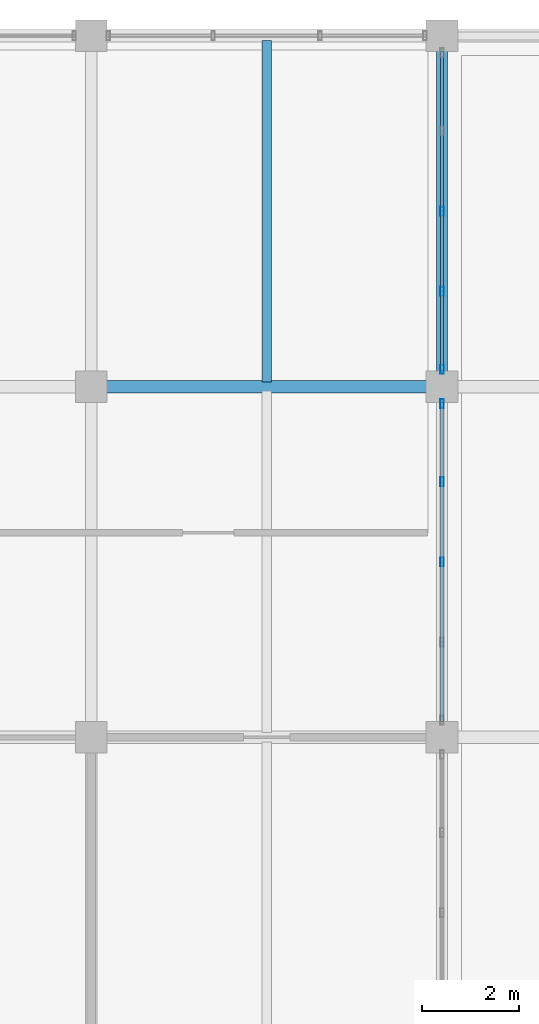
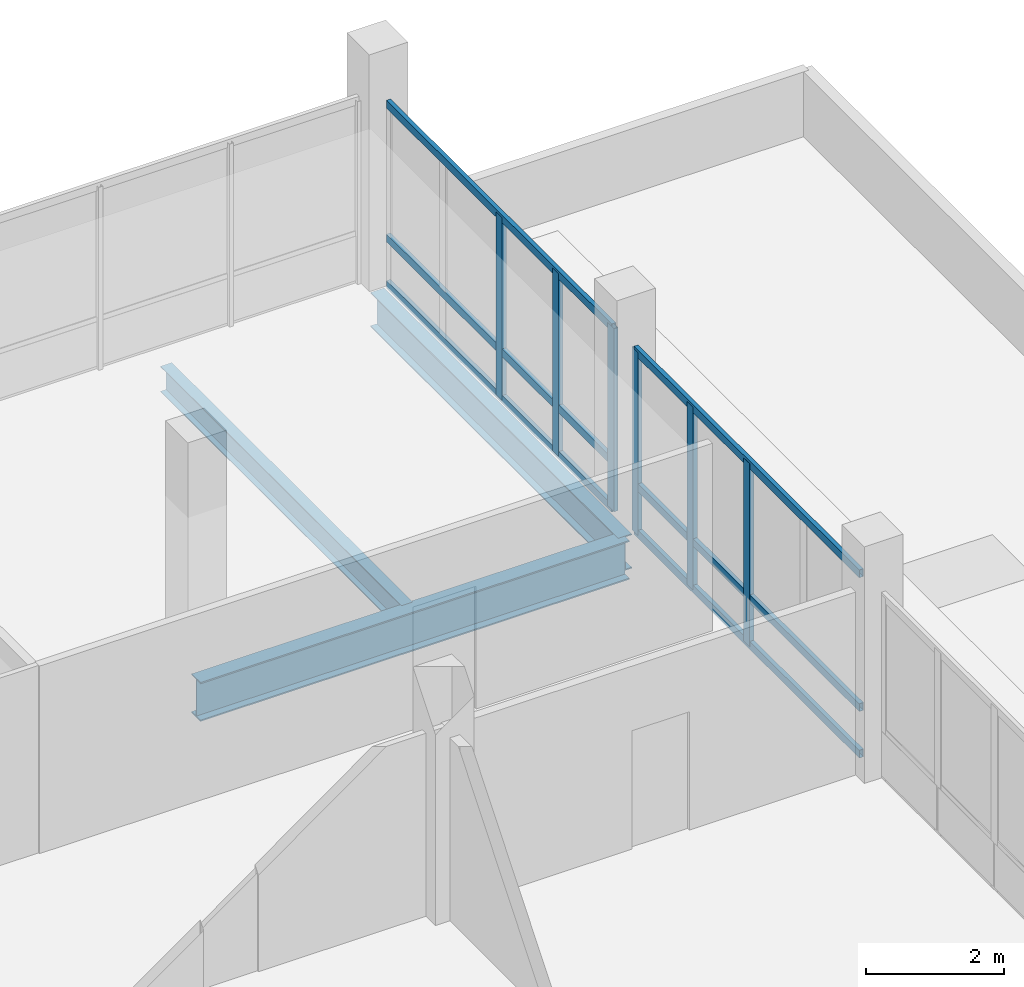
# One storey, part 64 of 102: 12 members, 3 beams, 2 elements without a shape of their own.
"""IFC4 building model written with IfcOpenShell, lengths in metres."""

from ifc_helpers import new_model, si_unit, direction, frame, origin, origin_2d, place, context, subcontext, project, spatial, hollow_rectangle, i_section, extrude, material, material_profile, profile_set, type_object, element, aggregate, save


model = new_model("IFC4")

# Units and contexts
model_context = context("Model", 3, precision=1e-05, world=origin(), true_north=direction((0.0, 1.0)))
body_context = subcontext(model_context, "Body", "Model", "MODEL_VIEW")
ifc_project = project(units=[si_unit("LENGTHUNIT", "METRE"), si_unit("AREAUNIT", "SQUARE_METRE"), si_unit("VOLUMEUNIT", "CUBIC_METRE"), si_unit("PLANEANGLEUNIT", "RADIAN"), si_unit("MASSUNIT", "GRAM", prefix="KILO")], contexts=[model_context])

# Site, building, storey
site_placement = place(None, origin())
site = spatial("IfcSite", under=ifc_project, at=site_placement, CompositionType="ELEMENT")
building_placement = place(site_placement, origin())
building = spatial("IfcBuilding", under=site, at=building_placement, Name="Yarey Park Central Fire Station", CompositionType="ELEMENT")
storey_placement = place(building_placement, frame((0.0, 0.0, 6.0)))
storey = spatial("IfcBuildingStorey", under=building, at=storey_placement, Name="L02", CompositionType="ELEMENT", Elevation=6.0)

# Curtain wall, members
ifc_material_1 = material(Name="Anodized Aluminium Frame", Category="aluminium")
curtain_wall_type = type_object("IfcCurtainWallType", Name="ENV_CW_HQ_L02", PredefinedType="NOTDEFINED", material=ifc_material_1)
curtain_wall_1_placement = place(storey_placement, origin())
curtain_wall_1 = element("IfcCurtainWall", 1, at=curtain_wall_1_placement, inside=storey, type_object=curtain_wall_type, Name="CW_L02_V4_E_100", PredefinedType="NOTDEFINED")
ifc_material_profile_1 = material_profile(ifc_material_1, hollow_rectangle(XDim=0.070068359375, YDim=0.179931640625, WallThickness=0.00390625, at=origin_2d()), Name="ALU 180x70x4")
ifc_profile_set_1 = profile_set([ifc_material_profile_1], Name="Anodized Aluminium Frame")
member_type_1 = type_object("IfcMemberType", Name="ENV_CW_MULLION", PredefinedType="MULLION", material=ifc_profile_set_1)
member_1_placement = place(storey_placement, frame((158.39990234375, 104.39990234375, 0.0), z_axis=(0.0, 0.0, 1.0), x_axis=(1.0, 0.0, 0.0)))
member_1 = element("IfcMember", 2, at=member_1_placement, type_object=member_type_1, Name="CW_L02_V4_E_100_MUL3", PredefinedType="MULLION", context=body_context, shape_type="SweptSolid", body=[
    extrude(hollow_rectangle(XDim=0.070068359375, YDim=0.179931640625, WallThickness=0.00390625, at=origin_2d()), origin(), (0.0, 0.0, 1.0), 3.25),
])
member_2_placement = place(storey_placement, frame((158.39990234375, 106.044921875, 0.0), z_axis=(0.0, 0.0, 1.0), x_axis=(1.0, 0.0, 0.0)))
member_2 = element("IfcMember", 3, at=member_2_placement, type_object=member_type_1, Name="CW_L02_V4_E_100_MUL4", PredefinedType="MULLION", context=body_context, shape_type="SweptSolid", body=[
    extrude(hollow_rectangle(XDim=0.070068359375, YDim=0.179931640625, WallThickness=0.00390625, at=origin_2d()), origin(), (0.0, 0.0, 1.0), 3.25),
])
member_3_placement = place(storey_placement, frame((158.39990234375, 107.64990234375, 0.0), z_axis=(0.0, 0.0, 1.0), x_axis=(1.0, 0.0, 0.0)))
member_3 = element("IfcMember", 4, at=member_3_placement, type_object=member_type_1, Name="CW_L02_V4_E_100_MUL5", PredefinedType="MULLION", context=body_context, shape_type="SweptSolid", body=[
    extrude(hollow_rectangle(XDim=0.070068359375, YDim=0.179931640625, WallThickness=0.00390625, at=origin_2d()), origin(), (0.0, 0.0, 1.0), 3.25),
])

curtain_wall_2_placement = place(storey_placement, origin())
curtain_wall_2 = element("IfcCurtainWall", 5, at=curtain_wall_2_placement, inside=storey, type_object=curtain_wall_type, Name="CW_L02_V4_E_108", PredefinedType="NOTDEFINED")
member_4_placement = place(storey_placement, frame((158.39990234375, 108.35009765625, 0.0), z_axis=(0.0, 0.0, 1.0), x_axis=(1.0, 0.0, 0.0)))
member_4 = element("IfcMember", 6, at=member_4_placement, type_object=member_type_1, Name="CW_L02_V4_E_108_MUL1", PredefinedType="MULLION", context=body_context, shape_type="SweptSolid", body=[
    extrude(hollow_rectangle(XDim=0.070068359375, YDim=0.179931640625, WallThickness=0.00390625, at=origin_2d()), origin(), (0.0, 0.0, 1.0), 3.25),
])
member_5_placement = place(storey_placement, frame((158.39990234375, 109.955078125, 0.0), z_axis=(0.0, 0.0, 1.0), x_axis=(1.0, 0.0, 0.0)))
member_5 = element("IfcMember", 7, at=member_5_placement, type_object=member_type_1, Name="CW_L02_V4_E_108_MUL2", PredefinedType="MULLION", context=body_context, shape_type="SweptSolid", body=[
    extrude(hollow_rectangle(XDim=0.070068359375, YDim=0.179931640625, WallThickness=0.00390625, at=origin_2d()), origin(), (0.0, 0.0, 1.0), 3.25),
])
member_6_placement = place(storey_placement, frame((158.39990234375, 111.60009765625, 0.0), z_axis=(0.0, 0.0, 1.0), x_axis=(1.0, 0.0, 0.0)))
member_6 = element("IfcMember", 8, at=member_6_placement, type_object=member_type_1, Name="CW_L02_V4_E_108_MUL3", PredefinedType="MULLION", context=body_context, shape_type="SweptSolid", body=[
    extrude(hollow_rectangle(XDim=0.070068359375, YDim=0.179931640625, WallThickness=0.00390625, at=origin_2d()), origin(), (0.0, 0.0, 1.0), 3.25),
])

# Member
ifc_material_profile_2 = material_profile(ifc_material_1, hollow_rectangle(XDim=0.070068359375, YDim=0.139892578125, WallThickness=0.00390625, at=origin_2d()), Name="ALU 140x70x4")
ifc_profile_set_2 = profile_set([ifc_material_profile_2], Name="Anodized Aluminium Frame")
member_type_2 = type_object("IfcMemberType", Name="ENV_CW_TRANSOM", PredefinedType="USERDEFINED", material=ifc_profile_set_2)
member_7_placement = place(storey_placement, frame((158.39990234375, 101.125, 0.02490234375), z_axis=(0.0, 1.0, 0.0), x_axis=(-1.0, 0.0, 0.0)))
member_7 = element("IfcMember", 9, at=member_7_placement, type_object=member_type_2, Name="CW_L02_V4_E_100_TRN1", ObjectType="TRANSOM", PredefinedType="USERDEFINED", context=body_context, shape_type="SweptSolid", body=[
    extrude(hollow_rectangle(XDim=0.070068359375, YDim=0.139892578125, WallThickness=0.00390625, at=origin_2d()), origin(), (0.0, 0.0, 1.0), 6.550048828125),
])

member_8_placement = place(storey_placement, frame((158.39990234375, 101.125, 0.85009765625), z_axis=(0.0, 1.0, 0.0), x_axis=(-1.0, 0.0, 0.0)))
member_8 = element("IfcMember", 10, at=member_8_placement, type_object=member_type_2, Name="CW_L02_V4_E_100_TRN2", ObjectType="TRANSOM", PredefinedType="USERDEFINED", context=body_context, shape_type="SweptSolid", body=[
    extrude(hollow_rectangle(XDim=0.070068359375, YDim=0.139892578125, WallThickness=0.00390625, at=origin_2d()), origin(), (0.0, 0.0, 1.0), 6.550048828125),
])

member_9_placement = place(storey_placement, frame((158.39990234375, 101.125, 3.22509765625), z_axis=(0.0, 1.0, 0.0), x_axis=(-1.0, 0.0, 0.0)))
member_9 = element("IfcMember", 11, at=member_9_placement, type_object=member_type_2, Name="CW_L02_V4_E_100_TRN3", ObjectType="TRANSOM", PredefinedType="USERDEFINED", context=body_context, shape_type="SweptSolid", body=[
    extrude(hollow_rectangle(XDim=0.070068359375, YDim=0.139892578125, WallThickness=0.00390625, at=origin_2d()), origin(), (0.0, 0.0, 1.0), 6.550048828125),
])

aggregate(curtain_wall_1, [member_1, member_2, member_3, member_7, member_8, member_9])

member_10_placement = place(storey_placement, frame((158.39990234375, 108.324951171875, 0.02490234375), z_axis=(0.0, 1.0, 0.0), x_axis=(-1.0, 0.0, 0.0)))
member_10 = element("IfcMember", 12, at=member_10_placement, type_object=member_type_2, Name="CW_L02_V4_E_108_TRN1", ObjectType="TRANSOM", PredefinedType="USERDEFINED", context=body_context, shape_type="SweptSolid", body=[
    extrude(hollow_rectangle(XDim=0.070068359375, YDim=0.139892578125, WallThickness=0.00390625, at=origin_2d()), origin(), (0.0, 0.0, 1.0), 6.550048828125),
])

member_11_placement = place(storey_placement, frame((158.39990234375, 108.324951171875, 0.85009765625), z_axis=(0.0, 1.0, 0.0), x_axis=(-1.0, 0.0, 0.0)))
member_11 = element("IfcMember", 13, at=member_11_placement, type_object=member_type_2, Name="CW_L02_V4_E_108_TRN2", ObjectType="TRANSOM", PredefinedType="USERDEFINED", context=body_context, shape_type="SweptSolid", body=[
    extrude(hollow_rectangle(XDim=0.070068359375, YDim=0.139892578125, WallThickness=0.00390625, at=origin_2d()), origin(), (0.0, 0.0, 1.0), 6.550048828125),
])

member_12_placement = place(storey_placement, frame((158.39990234375, 108.324951171875, 3.22509765625), z_axis=(0.0, 1.0, 0.0), x_axis=(-1.0, 0.0, 0.0)))
member_12 = element("IfcMember", 14, at=member_12_placement, type_object=member_type_2, Name="CW_L02_V4_E_108_TRN3", ObjectType="TRANSOM", PredefinedType="USERDEFINED", context=body_context, shape_type="SweptSolid", body=[
    extrude(hollow_rectangle(XDim=0.070068359375, YDim=0.139892578125, WallThickness=0.00390625, at=origin_2d()), origin(), (0.0, 0.0, 1.0), 6.550048828125),
])

aggregate(curtain_wall_2, [member_4, member_5, member_6, member_10, member_11, member_12])

# Beams
ifc_material_2 = material(Name="Steel ASTM A992 Gr. 50", Category="steel")
ifc_material_profile_3 = material_profile(ifc_material_2, i_section(OverallWidth=0.22900390625, OverallDepth=0.612060546875, WebThickness=0.011962890625, FlangeThickness=0.01953125, at=origin_2d()), Name="W610x125")
ifc_profile_set_3 = profile_set([ifc_material_profile_3], Name="Steel ASTM A992 Gr. 50")
beam_type_1 = type_object("IfcBeamType", Name="STR_BM_W610", PredefinedType="BEAM", material=ifc_profile_set_3)
beam_1_placement = place(storey_placement, frame((158.39990234375, 108.0, -0.591064453125), z_axis=(0.0, 1.0, 0.0), x_axis=(-1.0, 0.0, 0.0)))
element("IfcBeam", 15, at=beam_1_placement, inside=storey, type_object=beam_type_1, Name="BMY L02 X1584 Y1080", PredefinedType="BEAM", context=body_context, shape_type="SweptSolid", body=[
    extrude(i_section(OverallWidth=0.22900390625, OverallDepth=0.612060546875, WebThickness=0.011962890625, FlangeThickness=0.01953125, at=origin_2d()), origin(), (0.0, 0.0, 1.0), 7.199951171875),
])
ifc_material_profile_4 = material_profile(ifc_material_2, i_section(OverallWidth=0.256103515625, OverallDepth=0.693115234375, WebThickness=0.014404296875, FlangeThickness=0.023681640625, at=origin_2d()), Name="W690x170")
ifc_profile_set_4 = profile_set([ifc_material_profile_4], Name="Steel ASTM A992 Gr. 50")
beam_type_2 = type_object("IfcBeamType", Name="STR_BM_W690", PredefinedType="BEAM", material=ifc_profile_set_4)
beam_2_placement = place(storey_placement, frame((151.199951171875, 108.0, -0.631591796875), z_axis=(1.0, 0.0, 0.0), x_axis=(0.0, 1.0, 0.0)))
element("IfcBeam", 16, at=beam_2_placement, inside=storey, type_object=beam_type_2, Name="BMX L02 Y1080 X1512", PredefinedType="BEAM", context=body_context, shape_type="SweptSolid", body=[
    extrude(i_section(OverallWidth=0.256103515625, OverallDepth=0.693115234375, WebThickness=0.014404296875, FlangeThickness=0.023681640625, at=origin_2d()), origin(), (0.0, 0.0, 1.0), 7.199951171875),
])
ifc_material_profile_5 = material_profile(ifc_material_2, i_section(OverallWidth=0.18994140625, OverallDepth=0.45703125, WebThickness=0.009033203125, FlangeThickness=0.014404296875, at=origin_2d()), Name="W460x74")
ifc_profile_set_5 = profile_set([ifc_material_profile_5], Name="Steel ASTM A992 Gr. 50")
beam_type_3 = type_object("IfcBeamType", Name="STR_JST_W460", PredefinedType="JOIST", material=ifc_profile_set_5)
beam_3_placement = place(storey_placement, frame((154.800048828125, 108.094970703125, -0.513427734375), z_axis=(0.0, 1.0, 0.0), x_axis=(-1.0, 0.0, 0.0)))
element("IfcBeam", 17, at=beam_3_placement, inside=storey, type_object=beam_type_3, Name="JST L02 X1548 Y1080", PredefinedType="JOIST", context=body_context, shape_type="SweptSolid", body=[
    extrude(i_section(OverallWidth=0.18994140625, OverallDepth=0.45703125, WebThickness=0.009033203125, FlangeThickness=0.014404296875, at=origin_2d()), origin(), (0.0, 0.0, 1.0), 7.010009765625),
])

save(model, "model.ifc")
